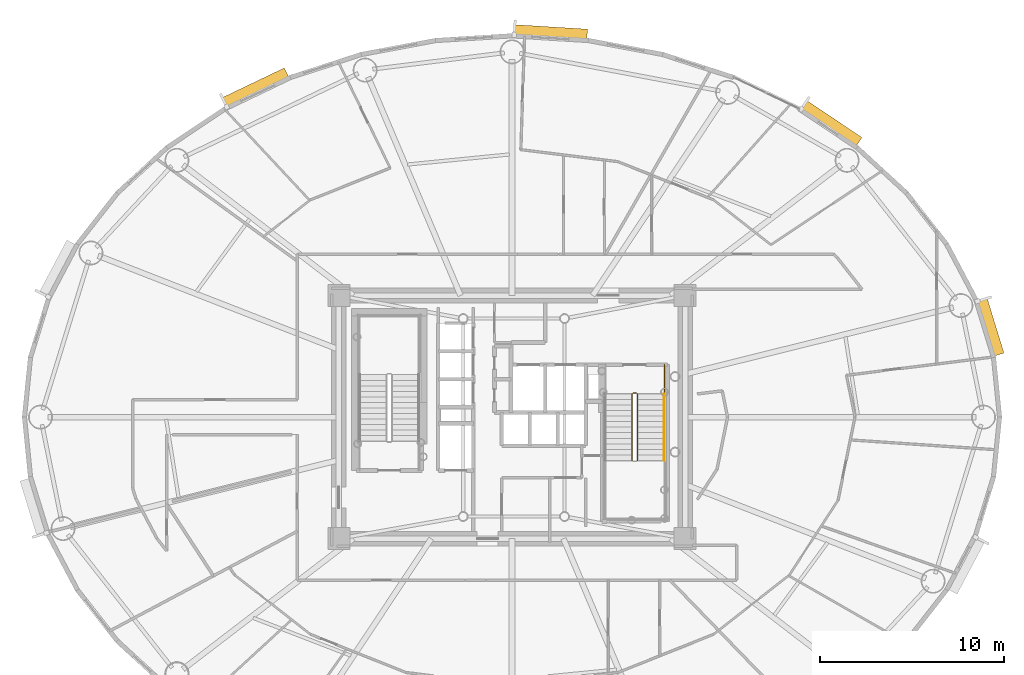
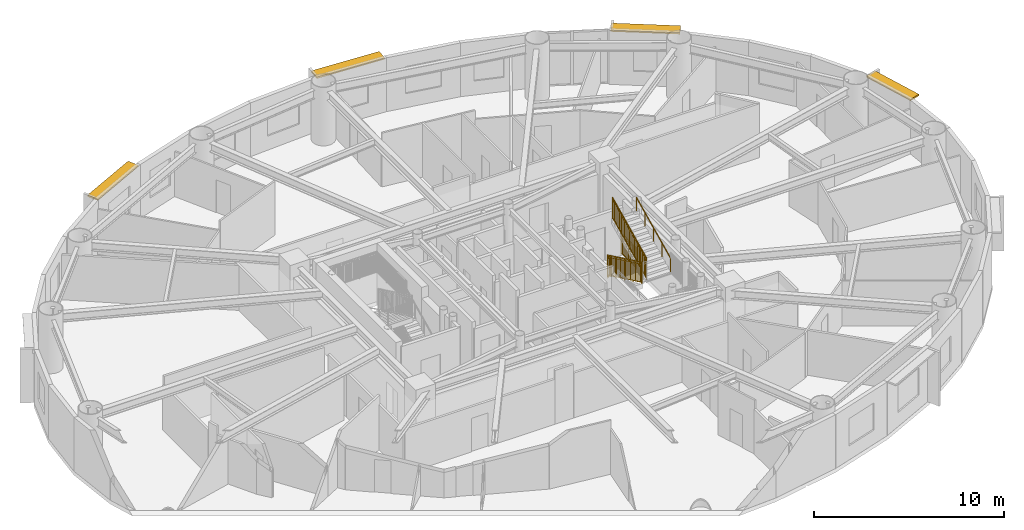
# One storey, part 17 of 17: 5 railings, 4 shading devices.
"""IFC4 building model written with IfcOpenShell, lengths in metres."""

from ifc_helpers import new_model, si_unit, direction, frame, origin, origin_2d, place, context, subcontext, project, spatial, rectangle, extrude, source, transform, mapped, material, layer, layer_set, type_object, element, save


model = new_model("IFC4")

# Units and contexts
model_context = context("Model", 3, precision=1e-05, world=origin(), true_north=direction((0.0, 1.0)))
body_context = subcontext(model_context, "Body", "Model", "MODEL_VIEW")
ifc_project = project(units=[si_unit("LENGTHUNIT", "METRE"), si_unit("AREAUNIT", "SQUARE_METRE"), si_unit("VOLUMEUNIT", "CUBIC_METRE"), si_unit("PLANEANGLEUNIT", "RADIAN"), si_unit("MASSUNIT", "GRAM", prefix="KILO")], contexts=[model_context])

# Site, building, storey
site_placement = place(None, origin())
site = spatial("IfcSite", under=ifc_project, at=site_placement, CompositionType="ELEMENT")
building_placement = place(site_placement, origin())
building = spatial("IfcBuilding", under=site, at=building_placement, Name="Linh Dai School and Residence Tower", CompositionType="ELEMENT")
storey_placement = place(building_placement, frame((0.0, 0.0, 201.14990234375)))
storey = spatial("IfcBuildingStorey", under=building, at=storey_placement, Name="L49", CompositionType="ELEMENT", Elevation=201.14990234375)

# Shading devices
ifc_material_1 = material(Name="Terracotta Ceramic Sunshade", Category="masonry")
ifc_layer = layer(ifc_material_1, 0.10009765625)
ifc_layer_set = layer_set([ifc_layer], Name="Terracotta Ceramic Sunshade")
shading_device_type = type_object("IfcShadingDeviceType", Name="SHD-TC-650", PredefinedType="USERDEFINED", material=ifc_layer_set)
shared_shape_1 = source(origin(), body_context, "Body", "SweptSolid", [
    extrude(rectangle(XDim=3.168212890625, YDim=0.64990234375, at=origin_2d()), origin(), (0.0, 0.0, 1.0), 0.10009765625),
])
shading_device_1_placement = place(storey_placement, frame((61.938720703125, 31.894775390625, 3.330078125), z_axis=(0.0, 0.0, 1.0), x_axis=(0.293121969301, -0.956075055167, 0.0)))
element("IfcShadingDevice", 1, at=shading_device_1_placement, inside=storey, type_object=shading_device_type, Name="L49 Terracotta Horizontal Sunshade Band 02", ObjectType="SUNSHADE", PredefinedType="USERDEFINED", context=body_context, shape_type="MappedRepresentation", body=[
    mapped(shared_shape_1, transform((0.0, 0.0, 0.0), x_axis=(1.0, 0.0, 0.0), y_axis=(0.0, 1.0, 0.0), z_axis=(0.0, 0.0, 1.0), scale=1.0)),
])
shared_shape_2 = source(origin(), body_context, "Body", "SweptSolid", [
    extrude(rectangle(XDim=3.64794921875, YDim=0.64990234375, at=origin_2d()), origin(), (0.0, 0.0, 1.0), 0.10009765625),
])
shading_device_2_placement = place(storey_placement, frame((53.31103515625, 42.923828125, 3.330078125), z_axis=(0.0, 0.0, 1.0), x_axis=(0.831228338651, -0.555931154932, 0.0)))
element("IfcShadingDevice", 2, at=shading_device_2_placement, inside=storey, type_object=shading_device_type, Name="L49 Terracotta Horizontal Sunshade Band 06", ObjectType="SUNSHADE", PredefinedType="USERDEFINED", context=body_context, shape_type="MappedRepresentation", body=[
    mapped(shared_shape_2, transform((0.0, 0.0, 0.0), x_axis=(1.0, 0.0, 0.0), y_axis=(0.0, 1.0, 0.0), z_axis=(0.0, 0.0, 1.0), scale=1.0)),
])
shared_shape_3 = source(origin(), body_context, "Body", "SweptSolid", [
    extrude(rectangle(XDim=3.987548828125, YDim=0.64990234375, at=origin_2d()), origin(), (0.0, 0.0, 1.0), 0.10009765625),
])
shading_device_3_placement = place(storey_placement, frame((38.09033203125, 47.86181640625, 3.330078125), z_axis=(0.0, 0.0, 1.0), x_axis=(0.99810632076, -0.061512376467, 0.0)))
element("IfcShadingDevice", 3, at=shading_device_3_placement, inside=storey, type_object=shading_device_type, Name="L49 Terracotta Horizontal Sunshade Band 10", ObjectType="SUNSHADE", PredefinedType="USERDEFINED", context=body_context, shape_type="MappedRepresentation", body=[
    mapped(shared_shape_3, transform((0.0, 0.0, 0.0), x_axis=(1.0, 0.0, 0.0), y_axis=(0.0, 1.0, 0.0), z_axis=(0.0, 0.0, 1.0), scale=1.0)),
])
shared_shape_4 = source(origin(), body_context, "Body", "SweptSolid", [
    extrude(rectangle(XDim=3.773193359375, YDim=0.64990234375, at=origin_2d()), origin(), (0.0, 0.0, 1.0), 0.10009765625),
])
shading_device_4_placement = place(storey_placement, frame((22.0751953125, 44.850341796875, 3.330078125), z_axis=(0.0, 0.0, 1.0), x_axis=(0.901569306779, 0.432634701653, 0.0)))
element("IfcShadingDevice", 4, at=shading_device_4_placement, inside=storey, type_object=shading_device_type, Name="L49 Terracotta Horizontal Sunshade Band 14", ObjectType="SUNSHADE", PredefinedType="USERDEFINED", context=body_context, shape_type="MappedRepresentation", body=[
    mapped(shared_shape_4, transform((0.0, 0.0, 0.0), x_axis=(1.0, 0.0, 0.0), y_axis=(0.0, 1.0, 0.0), z_axis=(0.0, 0.0, 1.0), scale=1.0)),
])

# Railings
ifc_material_2 = material(Name="Structural Steel S355JR", Category="steel")
railing_type_1 = type_object("IfcRailingType", Name="RL-ST-GUARD-1400", PredefinedType="GUARDRAIL", material=ifc_material_2)
shared_shape_5 = source(origin(), body_context, "Body", "SweptSolid", [
    extrude(rectangle(XDim=0.048095703125, YDim=0.048095703125, at=origin_2d()), frame((0.0, 0.0, 1.3759765625), z_axis=(0.0, 0.901262522062, 0.433273431364), x_axis=(-1.0, 0.0, 0.0)), (0.0, 0.0, 1.0), 3.994384765625),
    extrude(rectangle(XDim=0.048095703125, YDim=0.048095703125, at=origin_2d()), frame((0.0, 0.0, 0.10009765625), z_axis=(0.0, 0.901262522062, 0.433273431364), x_axis=(-1.0, 0.0, 0.0)), (0.0, 0.0, 1.0), 3.994384765625),
    extrude(rectangle(XDim=0.030029296875, YDim=0.030029296875, at=origin_2d()), frame((0.0, 0.0, 1.239990234375), z_axis=(0.0, 0.901262522062, 0.433273431364), x_axis=(-1.0, 0.0, 0.0)), (0.0, 0.0, 1.0), 3.994384765625),
    extrude(rectangle(XDim=0.02001953125, YDim=0.02001953125, at=origin_2d()), frame((0.0, 0.087890625, 0.142333984375)), (0.0, 0.0, 1.0), 1.251708984375),
    extrude(rectangle(XDim=0.02001953125, YDim=0.02001953125, at=origin_2d()), frame((0.0, 0.175537109375, 0.1845703125)), (0.0, 0.0, 1.0), 1.251708984375),
    extrude(rectangle(XDim=0.02001953125, YDim=0.02001953125, at=origin_2d()), frame((0.0, 0.263427734375, 0.226806640625)), (0.0, 0.0, 1.0), 1.251708984375),
    extrude(rectangle(XDim=0.02001953125, YDim=0.02001953125, at=origin_2d()), frame((0.0, 0.351318359375, 0.26904296875)), (0.0, 0.0, 1.0), 1.251708984375),
    extrude(rectangle(XDim=0.02001953125, YDim=0.02001953125, at=origin_2d()), frame((0.0, 0.43896484375, 0.311279296875)), (0.0, 0.0, 1.0), 1.251708984375),
    extrude(rectangle(XDim=0.02001953125, YDim=0.02001953125, at=origin_2d()), frame((0.0, 0.52685546875, 0.353271484375)), (0.0, 0.0, 1.0), 1.251708984375),
    extrude(rectangle(XDim=0.02001953125, YDim=0.02001953125, at=origin_2d()), frame((0.0, 0.61474609375, 0.3955078125)), (0.0, 0.0, 1.0), 1.251708984375),
    extrude(rectangle(XDim=0.02001953125, YDim=0.02001953125, at=origin_2d()), frame((0.0, 0.702392578125, 0.437744140625)), (0.0, 0.0, 1.0), 1.251708984375),
    extrude(rectangle(XDim=0.02001953125, YDim=0.02001953125, at=origin_2d()), frame((0.0, 0.790283203125, 0.47998046875)), (0.0, 0.0, 1.0), 1.251708984375),
    extrude(rectangle(XDim=0.02001953125, YDim=0.02001953125, at=origin_2d()), frame((0.0, 0.9658203125, 0.564453125)), (0.0, 0.0, 1.0), 1.251708984375),
    extrude(rectangle(XDim=0.02001953125, YDim=0.02001953125, at=origin_2d()), frame((0.0, 1.0537109375, 0.606689453125)), (0.0, 0.0, 1.0), 1.251708984375),
    extrude(rectangle(XDim=0.02001953125, YDim=0.02001953125, at=origin_2d()), frame((0.0, 1.1416015625, 0.64892578125)), (0.0, 0.0, 1.0), 1.251708984375),
    extrude(rectangle(XDim=0.02001953125, YDim=0.02001953125, at=origin_2d()), frame((0.0, 1.229248046875, 0.691162109375)), (0.0, 0.0, 1.0), 1.251708984375),
    extrude(rectangle(XDim=0.02001953125, YDim=0.02001953125, at=origin_2d()), frame((0.0, 1.317138671875, 0.7333984375)), (0.0, 0.0, 1.0), 1.251708984375),
    extrude(rectangle(XDim=0.02001953125, YDim=0.02001953125, at=origin_2d()), frame((0.0, 1.405029296875, 0.775390625)), (0.0, 0.0, 1.0), 1.251708984375),
    extrude(rectangle(XDim=0.02001953125, YDim=0.02001953125, at=origin_2d()), frame((0.0, 1.49267578125, 0.817626953125)), (0.0, 0.0, 1.0), 1.251708984375),
    extrude(rectangle(XDim=0.02001953125, YDim=0.02001953125, at=origin_2d()), frame((0.0, 1.58056640625, 0.85986328125)), (0.0, 0.0, 1.0), 1.251708984375),
    extrude(rectangle(XDim=0.02001953125, YDim=0.02001953125, at=origin_2d()), frame((0.0, 1.66845703125, 0.902099609375)), (0.0, 0.0, 1.0), 1.251708984375),
    extrude(rectangle(XDim=0.02001953125, YDim=0.02001953125, at=origin_2d()), frame((0.0, 1.756103515625, 0.9443359375)), (0.0, 0.0, 1.0), 1.251708984375),
    extrude(rectangle(XDim=0.02001953125, YDim=0.02001953125, at=origin_2d()), frame((0.0, 1.843994140625, 0.986572265625)), (0.0, 0.0, 1.0), 1.251708984375),
    extrude(rectangle(XDim=0.02001953125, YDim=0.02001953125, at=origin_2d()), frame((0.0, 1.931640625, 1.02880859375)), (0.0, 0.0, 1.0), 1.251708984375),
    extrude(rectangle(XDim=0.02001953125, YDim=0.02001953125, at=origin_2d()), frame((0.0, 2.01953125, 1.071044921875)), (0.0, 0.0, 1.0), 1.251708984375),
    extrude(rectangle(XDim=0.02001953125, YDim=0.02001953125, at=origin_2d()), frame((0.0, 2.107421875, 1.11328125)), (0.0, 0.0, 1.0), 1.251708984375),
    extrude(rectangle(XDim=0.02001953125, YDim=0.02001953125, at=origin_2d()), frame((0.0, 2.195068359375, 1.155517578125)), (0.0, 0.0, 1.0), 1.251708984375),
    extrude(rectangle(XDim=0.02001953125, YDim=0.02001953125, at=origin_2d()), frame((0.0, 2.282958984375, 1.197509765625)), (0.0, 0.0, 1.0), 1.251708984375),
    extrude(rectangle(XDim=0.02001953125, YDim=0.02001953125, at=origin_2d()), frame((0.0, 2.370849609375, 1.23974609375)), (0.0, 0.0, 1.0), 1.251708984375),
    extrude(rectangle(XDim=0.02001953125, YDim=0.02001953125, at=origin_2d()), frame((0.0, 2.45849609375, 1.281982421875)), (0.0, 0.0, 1.0), 1.251708984375),
    extrude(rectangle(XDim=0.02001953125, YDim=0.02001953125, at=origin_2d()), frame((0.0, 2.54638671875, 1.32421875)), (0.0, 0.0, 1.0), 1.251708984375),
    extrude(rectangle(XDim=0.02001953125, YDim=0.02001953125, at=origin_2d()), frame((0.0, 2.63427734375, 1.366455078125)), (0.0, 0.0, 1.0), 1.251708984375),
    extrude(rectangle(XDim=0.02001953125, YDim=0.02001953125, at=origin_2d()), frame((0.0, 2.809814453125, 1.450927734375)), (0.0, 0.0, 1.0), 1.251708984375),
    extrude(rectangle(XDim=0.02001953125, YDim=0.02001953125, at=origin_2d()), frame((0.0, 2.897705078125, 1.4931640625)), (0.0, 0.0, 1.0), 1.251708984375),
    extrude(rectangle(XDim=0.02001953125, YDim=0.02001953125, at=origin_2d()), frame((0.0, 2.9853515625, 1.535400390625)), (0.0, 0.0, 1.0), 1.251708984375),
    extrude(rectangle(XDim=0.02001953125, YDim=0.02001953125, at=origin_2d()), frame((0.0, 3.0732421875, 1.57763671875)), (0.0, 0.0, 1.0), 1.251708984375),
    extrude(rectangle(XDim=0.02001953125, YDim=0.02001953125, at=origin_2d()), frame((0.0, 3.1611328125, 1.61962890625)), (0.0, 0.0, 1.0), 1.251708984375),
    extrude(rectangle(XDim=0.02001953125, YDim=0.02001953125, at=origin_2d()), frame((0.0, 3.248779296875, 1.661865234375)), (0.0, 0.0, 1.0), 1.251708984375),
    extrude(rectangle(XDim=0.02001953125, YDim=0.02001953125, at=origin_2d()), frame((0.0, 3.336669921875, 1.7041015625)), (0.0, 0.0, 1.0), 1.251708984375),
    extrude(rectangle(XDim=0.02001953125, YDim=0.02001953125, at=origin_2d()), frame((0.0, 3.424560546875, 1.746337890625)), (0.0, 0.0, 1.0), 1.251708984375),
    extrude(rectangle(XDim=0.02001953125, YDim=0.02001953125, at=origin_2d()), frame((0.0, 3.51220703125, 1.78857421875)), (0.0, 0.0, 1.0), 1.251708984375),
    extrude(rectangle(XDim=0.0419921875, YDim=0.0419921875, at=origin_2d()), origin(), (0.0, 0.0, 1.0), 1.3759765625),
    extrude(rectangle(XDim=0.0419921875, YDim=0.0419921875, at=origin_2d()), frame((0.0, 0.89990234375, 0.4326171875)), (0.0, 0.0, 1.0), 1.3759765625),
    extrude(rectangle(XDim=0.0419921875, YDim=0.0419921875, at=origin_2d()), frame((0.0, 1.800048828125, 0.865234375)), (0.0, 0.0, 1.0), 1.3759765625),
    extrude(rectangle(XDim=0.0419921875, YDim=0.0419921875, at=origin_2d()), frame((0.0, 2.7001953125, 1.298095703125)), (0.0, 0.0, 1.0), 1.3759765625),
    extrude(rectangle(XDim=0.0419921875, YDim=0.0419921875, at=origin_2d()), frame((0.0, 3.60009765625, 1.730712890625)), (0.0, 0.0, 1.0), 1.3759765625),
])
railing_1_placement = place(storey_placement, frame((42.820068359375, 24.64990234375, 2.019287109375)))
element("IfcRailing", 5, at=railing_1_placement, inside=storey, type_object=railing_type_1, Name="L49 ST2 stair guard 6", PredefinedType="GUARDRAIL", context=body_context, shape_type="MappedRepresentation", body=[
    mapped(shared_shape_5, transform((0.0, 0.0, 0.0), x_axis=(1.0, 0.0, 0.0), y_axis=(0.0, 1.0, 0.0), z_axis=(0.0, 0.0, 1.0), scale=1.0)),
])
shared_shape_6 = source(origin(), body_context, "Body", "SweptSolid", [
    extrude(rectangle(XDim=0.048095703125, YDim=0.048095703125, at=origin_2d()), frame((0.0, 0.0, 1.3759765625), z_axis=(0.0, -0.901262522062, 0.433273431364), x_axis=(1.0, 0.0, 0.0)), (0.0, 0.0, 1.0), 3.994384765625),
    extrude(rectangle(XDim=0.048095703125, YDim=0.048095703125, at=origin_2d()), frame((0.0, 0.0, 0.10009765625), z_axis=(0.0, -0.901262522062, 0.433273431364), x_axis=(1.0, 0.0, 0.0)), (0.0, 0.0, 1.0), 3.994384765625),
    extrude(rectangle(XDim=0.030029296875, YDim=0.030029296875, at=origin_2d()), frame((0.0, 0.0, 1.239990234375), z_axis=(0.0, -0.901262522062, 0.433273431364), x_axis=(1.0, 0.0, 0.0)), (0.0, 0.0, 1.0), 3.994384765625),
    extrude(rectangle(XDim=0.02001953125, YDim=0.02001953125, at=origin_2d()), frame((0.0, -0.087890625, 0.142333984375)), (0.0, 0.0, 1.0), 1.251708984375),
    extrude(rectangle(XDim=0.02001953125, YDim=0.02001953125, at=origin_2d()), frame((0.0, -0.175537109375, 0.1845703125)), (0.0, 0.0, 1.0), 1.251708984375),
    extrude(rectangle(XDim=0.02001953125, YDim=0.02001953125, at=origin_2d()), frame((0.0, -0.263427734375, 0.226806640625)), (0.0, 0.0, 1.0), 1.251708984375),
    extrude(rectangle(XDim=0.02001953125, YDim=0.02001953125, at=origin_2d()), frame((0.0, -0.351318359375, 0.26904296875)), (0.0, 0.0, 1.0), 1.251708984375),
    extrude(rectangle(XDim=0.02001953125, YDim=0.02001953125, at=origin_2d()), frame((0.0, -0.43896484375, 0.311279296875)), (0.0, 0.0, 1.0), 1.251708984375),
    extrude(rectangle(XDim=0.02001953125, YDim=0.02001953125, at=origin_2d()), frame((0.0, -0.52685546875, 0.353271484375)), (0.0, 0.0, 1.0), 1.251708984375),
    extrude(rectangle(XDim=0.02001953125, YDim=0.02001953125, at=origin_2d()), frame((0.0, -0.61474609375, 0.3955078125)), (0.0, 0.0, 1.0), 1.251708984375),
    extrude(rectangle(XDim=0.02001953125, YDim=0.02001953125, at=origin_2d()), frame((0.0, -0.702392578125, 0.437744140625)), (0.0, 0.0, 1.0), 1.251708984375),
    extrude(rectangle(XDim=0.02001953125, YDim=0.02001953125, at=origin_2d()), frame((0.0, -0.790283203125, 0.47998046875)), (0.0, 0.0, 1.0), 1.251708984375),
    extrude(rectangle(XDim=0.02001953125, YDim=0.02001953125, at=origin_2d()), frame((0.0, -0.9658203125, 0.564453125)), (0.0, 0.0, 1.0), 1.251708984375),
    extrude(rectangle(XDim=0.02001953125, YDim=0.02001953125, at=origin_2d()), frame((0.0, -1.0537109375, 0.606689453125)), (0.0, 0.0, 1.0), 1.251708984375),
    extrude(rectangle(XDim=0.02001953125, YDim=0.02001953125, at=origin_2d()), frame((0.0, -1.1416015625, 0.64892578125)), (0.0, 0.0, 1.0), 1.251708984375),
    extrude(rectangle(XDim=0.02001953125, YDim=0.02001953125, at=origin_2d()), frame((0.0, -1.229248046875, 0.691162109375)), (0.0, 0.0, 1.0), 1.251708984375),
    extrude(rectangle(XDim=0.02001953125, YDim=0.02001953125, at=origin_2d()), frame((0.0, -1.317138671875, 0.7333984375)), (0.0, 0.0, 1.0), 1.251708984375),
    extrude(rectangle(XDim=0.02001953125, YDim=0.02001953125, at=origin_2d()), frame((0.0, -1.405029296875, 0.775390625)), (0.0, 0.0, 1.0), 1.251708984375),
    extrude(rectangle(XDim=0.02001953125, YDim=0.02001953125, at=origin_2d()), frame((0.0, -1.49267578125, 0.817626953125)), (0.0, 0.0, 1.0), 1.251708984375),
    extrude(rectangle(XDim=0.02001953125, YDim=0.02001953125, at=origin_2d()), frame((0.0, -1.58056640625, 0.85986328125)), (0.0, 0.0, 1.0), 1.251708984375),
    extrude(rectangle(XDim=0.02001953125, YDim=0.02001953125, at=origin_2d()), frame((0.0, -1.66845703125, 0.902099609375)), (0.0, 0.0, 1.0), 1.251708984375),
    extrude(rectangle(XDim=0.02001953125, YDim=0.02001953125, at=origin_2d()), frame((0.0, -1.756103515625, 0.9443359375)), (0.0, 0.0, 1.0), 1.251708984375),
    extrude(rectangle(XDim=0.02001953125, YDim=0.02001953125, at=origin_2d()), frame((0.0, -1.843994140625, 0.986572265625)), (0.0, 0.0, 1.0), 1.251708984375),
    extrude(rectangle(XDim=0.02001953125, YDim=0.02001953125, at=origin_2d()), frame((0.0, -1.931640625, 1.02880859375)), (0.0, 0.0, 1.0), 1.251708984375),
    extrude(rectangle(XDim=0.02001953125, YDim=0.02001953125, at=origin_2d()), frame((0.0, -2.01953125, 1.071044921875)), (0.0, 0.0, 1.0), 1.251708984375),
    extrude(rectangle(XDim=0.02001953125, YDim=0.02001953125, at=origin_2d()), frame((0.0, -2.107421875, 1.11328125)), (0.0, 0.0, 1.0), 1.251708984375),
    extrude(rectangle(XDim=0.02001953125, YDim=0.02001953125, at=origin_2d()), frame((0.0, -2.195068359375, 1.155517578125)), (0.0, 0.0, 1.0), 1.251708984375),
    extrude(rectangle(XDim=0.02001953125, YDim=0.02001953125, at=origin_2d()), frame((0.0, -2.282958984375, 1.197509765625)), (0.0, 0.0, 1.0), 1.251708984375),
    extrude(rectangle(XDim=0.02001953125, YDim=0.02001953125, at=origin_2d()), frame((0.0, -2.370849609375, 1.23974609375)), (0.0, 0.0, 1.0), 1.251708984375),
    extrude(rectangle(XDim=0.02001953125, YDim=0.02001953125, at=origin_2d()), frame((0.0, -2.45849609375, 1.281982421875)), (0.0, 0.0, 1.0), 1.251708984375),
    extrude(rectangle(XDim=0.02001953125, YDim=0.02001953125, at=origin_2d()), frame((0.0, -2.54638671875, 1.32421875)), (0.0, 0.0, 1.0), 1.251708984375),
    extrude(rectangle(XDim=0.02001953125, YDim=0.02001953125, at=origin_2d()), frame((0.0, -2.63427734375, 1.366455078125)), (0.0, 0.0, 1.0), 1.251708984375),
    extrude(rectangle(XDim=0.02001953125, YDim=0.02001953125, at=origin_2d()), frame((0.0, -2.809814453125, 1.450927734375)), (0.0, 0.0, 1.0), 1.251708984375),
    extrude(rectangle(XDim=0.02001953125, YDim=0.02001953125, at=origin_2d()), frame((0.0, -2.897705078125, 1.4931640625)), (0.0, 0.0, 1.0), 1.251708984375),
    extrude(rectangle(XDim=0.02001953125, YDim=0.02001953125, at=origin_2d()), frame((0.0, -2.9853515625, 1.535400390625)), (0.0, 0.0, 1.0), 1.251708984375),
    extrude(rectangle(XDim=0.02001953125, YDim=0.02001953125, at=origin_2d()), frame((0.0, -3.0732421875, 1.57763671875)), (0.0, 0.0, 1.0), 1.251708984375),
    extrude(rectangle(XDim=0.02001953125, YDim=0.02001953125, at=origin_2d()), frame((0.0, -3.1611328125, 1.61962890625)), (0.0, 0.0, 1.0), 1.251708984375),
    extrude(rectangle(XDim=0.02001953125, YDim=0.02001953125, at=origin_2d()), frame((0.0, -3.248779296875, 1.661865234375)), (0.0, 0.0, 1.0), 1.251708984375),
    extrude(rectangle(XDim=0.02001953125, YDim=0.02001953125, at=origin_2d()), frame((0.0, -3.336669921875, 1.7041015625)), (0.0, 0.0, 1.0), 1.251708984375),
    extrude(rectangle(XDim=0.02001953125, YDim=0.02001953125, at=origin_2d()), frame((0.0, -3.424560546875, 1.746337890625)), (0.0, 0.0, 1.0), 1.251708984375),
    extrude(rectangle(XDim=0.02001953125, YDim=0.02001953125, at=origin_2d()), frame((0.0, -3.51220703125, 1.78857421875)), (0.0, 0.0, 1.0), 1.251708984375),
    extrude(rectangle(XDim=0.0419921875, YDim=0.0419921875, at=origin_2d()), origin(), (0.0, 0.0, 1.0), 1.3759765625),
    extrude(rectangle(XDim=0.0419921875, YDim=0.0419921875, at=origin_2d()), frame((0.0, -0.89990234375, 0.4326171875)), (0.0, 0.0, 1.0), 1.3759765625),
    extrude(rectangle(XDim=0.0419921875, YDim=0.0419921875, at=origin_2d()), frame((0.0, -1.800048828125, 0.865234375)), (0.0, 0.0, 1.0), 1.3759765625),
    extrude(rectangle(XDim=0.0419921875, YDim=0.0419921875, at=origin_2d()), frame((0.0, -2.7001953125, 1.298095703125)), (0.0, 0.0, 1.0), 1.3759765625),
    extrude(rectangle(XDim=0.0419921875, YDim=0.0419921875, at=origin_2d()), frame((0.0, -3.60009765625, 1.730712890625)), (0.0, 0.0, 1.0), 1.3759765625),
])
railing_2_placement = place(storey_placement, frame((42.52001953125, 28.25, 0.144287109375)))
element("IfcRailing", 6, at=railing_2_placement, inside=storey, type_object=railing_type_1, Name="L49 ST2 stair guard 1", PredefinedType="GUARDRAIL", context=body_context, shape_type="MappedRepresentation", body=[
    mapped(shared_shape_6, transform((0.0, 0.0, 0.0), x_axis=(1.0, 0.0, 0.0), y_axis=(0.0, 1.0, 0.0), z_axis=(0.0, 0.0, 1.0), scale=1.0)),
])
ifc_material_3 = material(Name="Brushed Stainless Steel Handrail", Category="steel")
railing_type_2 = type_object("IfcRailingType", Name="RL-ST-HANDRAIL-900", PredefinedType="HANDRAIL", material=ifc_material_3)
shared_shape_7 = source(origin(), body_context, "Body", "SweptSolid", [
    extrude(rectangle(XDim=0.048095703125, YDim=0.048095703125, at=origin_2d()), frame((0.0, 0.0, 0.8759765625), z_axis=(0.0, 0.901262522062, 0.433273431364), x_axis=(-1.0, 0.0, 0.0)), (0.0, 0.0, 1.0), 3.994384765625),
    extrude(rectangle(XDim=0.0419921875, YDim=0.0419921875, at=origin_2d()), origin(), (0.0, 0.0, 1.0), 0.8759765625),
    extrude(rectangle(XDim=0.0419921875, YDim=0.0419921875, at=origin_2d()), frame((0.0, 0.89990234375, 0.4326171875)), (0.0, 0.0, 1.0), 0.8759765625),
    extrude(rectangle(XDim=0.0419921875, YDim=0.0419921875, at=origin_2d()), frame((0.0, 1.800048828125, 0.865234375)), (0.0, 0.0, 1.0), 0.8759765625),
    extrude(rectangle(XDim=0.0419921875, YDim=0.0419921875, at=origin_2d()), frame((0.0, 2.7001953125, 1.298095703125)), (0.0, 0.0, 1.0), 0.8759765625),
    extrude(rectangle(XDim=0.0419921875, YDim=0.0419921875, at=origin_2d()), frame((0.0, 3.60009765625, 1.730712890625)), (0.0, 0.0, 1.0), 0.8759765625),
])
railing_3_placement = place(storey_placement, frame((44.27001953125, 24.64990234375, 2.019287109375)))
element("IfcRailing", 7, at=railing_3_placement, inside=storey, type_object=railing_type_2, Name="L49 ST2 stair handrail 2", PredefinedType="HANDRAIL", context=body_context, shape_type="MappedRepresentation", body=[
    mapped(shared_shape_7, transform((0.0, 0.0, 0.0), x_axis=(1.0, 0.0, 0.0), y_axis=(0.0, 1.0, 0.0), z_axis=(0.0, 0.0, 1.0), scale=1.0)),
])
shared_shape_8 = source(origin(), body_context, "Body", "SweptSolid", [
    extrude(rectangle(XDim=0.048095703125, YDim=0.048095703125, at=origin_2d()), frame((0.0, 0.0, 1.3759765625), z_axis=(1.0, 0.0, 0.0), x_axis=(0.0, 1.0, 0.0)), (0.0, 0.0, 1.0), 0.199951171875),
    extrude(rectangle(XDim=0.048095703125, YDim=0.048095703125, at=origin_2d()), frame((0.0, 0.0, 0.10009765625), z_axis=(1.0, 0.0, 0.0), x_axis=(0.0, 1.0, 0.0)), (0.0, 0.0, 1.0), 0.199951171875),
    extrude(rectangle(XDim=0.030029296875, YDim=0.030029296875, at=origin_2d()), frame((0.0, 0.0, 1.239990234375), z_axis=(1.0, 0.0, 0.0), x_axis=(0.0, 1.0, 0.0)), (0.0, 0.0, 1.0), 0.199951171875),
    extrude(rectangle(XDim=0.0419921875, YDim=0.0419921875, at=origin_2d()), origin(), (0.0, 0.0, 1.0), 1.3759765625),
    extrude(rectangle(XDim=0.0419921875, YDim=0.0419921875, at=origin_2d()), frame((0.199951171875, 0.0, 0.0)), (0.0, 0.0, 1.0), 1.3759765625),
])
railing_4_placement = place(storey_placement, frame((42.570068359375, 28.300048828125, 0.0)))
element("IfcRailing", 8, at=railing_4_placement, inside=storey, type_object=railing_type_1, Name="L49 ST2 stair guard 7", PredefinedType="GUARDRAIL", context=body_context, shape_type="MappedRepresentation", body=[
    mapped(shared_shape_8, transform((0.0, 0.0, 0.0), x_axis=(1.0, 0.0, 0.0), y_axis=(0.0, 1.0, 0.0), z_axis=(0.0, 0.0, 1.0), scale=1.0)),
])
shared_shape_9 = source(origin(), body_context, "Body", "SweptSolid", [
    extrude(rectangle(XDim=0.048095703125, YDim=0.048095703125, at=origin_2d()), frame((0.0, 0.0, 1.3759765625), z_axis=(0.0, -1.0, 0.0), x_axis=(1.0, 0.0, 0.0)), (0.0, 0.0, 1.0), 1.60009765625),
    extrude(rectangle(XDim=0.048095703125, YDim=0.048095703125, at=origin_2d()), frame((0.0, 0.0, 0.10009765625), z_axis=(0.0, -1.0, 0.0), x_axis=(1.0, 0.0, 0.0)), (0.0, 0.0, 1.0), 1.60009765625),
    extrude(rectangle(XDim=0.030029296875, YDim=0.030029296875, at=origin_2d()), frame((0.0, 0.0, 1.239990234375), z_axis=(0.0, -1.0, 0.0), x_axis=(1.0, 0.0, 0.0)), (0.0, 0.0, 1.0), 1.60009765625),
    extrude(rectangle(XDim=0.02001953125, YDim=0.02001953125, at=origin_2d()), frame((0.0, -0.09423828125, 0.10009765625)), (0.0, 0.0, 1.0), 1.251708984375),
    extrude(rectangle(XDim=0.02001953125, YDim=0.02001953125, at=origin_2d()), frame((0.0, -0.188232421875, 0.10009765625)), (0.0, 0.0, 1.0), 1.251708984375),
    extrude(rectangle(XDim=0.02001953125, YDim=0.02001953125, at=origin_2d()), frame((0.0, -0.282470703125, 0.10009765625)), (0.0, 0.0, 1.0), 1.251708984375),
    extrude(rectangle(XDim=0.02001953125, YDim=0.02001953125, at=origin_2d()), frame((0.0, -0.37646484375, 0.10009765625)), (0.0, 0.0, 1.0), 1.251708984375),
    extrude(rectangle(XDim=0.02001953125, YDim=0.02001953125, at=origin_2d()), frame((0.0, -0.470703125, 0.10009765625)), (0.0, 0.0, 1.0), 1.251708984375),
    extrude(rectangle(XDim=0.02001953125, YDim=0.02001953125, at=origin_2d()), frame((0.0, -0.564697265625, 0.10009765625)), (0.0, 0.0, 1.0), 1.251708984375),
    extrude(rectangle(XDim=0.02001953125, YDim=0.02001953125, at=origin_2d()), frame((0.0, -0.658935546875, 0.10009765625)), (0.0, 0.0, 1.0), 1.251708984375),
    extrude(rectangle(XDim=0.02001953125, YDim=0.02001953125, at=origin_2d()), frame((0.0, -0.7529296875, 0.10009765625)), (0.0, 0.0, 1.0), 1.251708984375),
    extrude(rectangle(XDim=0.02001953125, YDim=0.02001953125, at=origin_2d()), frame((0.0, -0.84716796875, 0.10009765625)), (0.0, 0.0, 1.0), 1.251708984375),
    extrude(rectangle(XDim=0.02001953125, YDim=0.02001953125, at=origin_2d()), frame((0.0, -0.941162109375, 0.10009765625)), (0.0, 0.0, 1.0), 1.251708984375),
    extrude(rectangle(XDim=0.02001953125, YDim=0.02001953125, at=origin_2d()), frame((0.0, -1.035400390625, 0.10009765625)), (0.0, 0.0, 1.0), 1.251708984375),
    extrude(rectangle(XDim=0.02001953125, YDim=0.02001953125, at=origin_2d()), frame((0.0, -1.12939453125, 0.10009765625)), (0.0, 0.0, 1.0), 1.251708984375),
    extrude(rectangle(XDim=0.02001953125, YDim=0.02001953125, at=origin_2d()), frame((0.0, -1.2236328125, 0.10009765625)), (0.0, 0.0, 1.0), 1.251708984375),
    extrude(rectangle(XDim=0.02001953125, YDim=0.02001953125, at=origin_2d()), frame((0.0, -1.317626953125, 0.10009765625)), (0.0, 0.0, 1.0), 1.251708984375),
    extrude(rectangle(XDim=0.02001953125, YDim=0.02001953125, at=origin_2d()), frame((0.0, -1.411865234375, 0.10009765625)), (0.0, 0.0, 1.0), 1.251708984375),
    extrude(rectangle(XDim=0.02001953125, YDim=0.02001953125, at=origin_2d()), frame((0.0, -1.505859375, 0.10009765625)), (0.0, 0.0, 1.0), 1.251708984375),
    extrude(rectangle(XDim=0.0419921875, YDim=0.0419921875, at=origin_2d()), origin(), (0.0, 0.0, 1.0), 1.3759765625),
    extrude(rectangle(XDim=0.0419921875, YDim=0.0419921875, at=origin_2d()), frame((0.0, -0.800048828125, 0.0)), (0.0, 0.0, 1.0), 1.3759765625),
    extrude(rectangle(XDim=0.0419921875, YDim=0.0419921875, at=origin_2d()), frame((0.0, -1.60009765625, 0.0)), (0.0, 0.0, 1.0), 1.3759765625),
])
railing_5_placement = place(storey_placement, frame((44.27001953125, 29.85009765625, 0.0)))
element("IfcRailing", 9, at=railing_5_placement, inside=storey, type_object=railing_type_1, Name="L49 ST2 stair guard 9", PredefinedType="GUARDRAIL", context=body_context, shape_type="MappedRepresentation", body=[
    mapped(shared_shape_9, transform((0.0, 0.0, 0.0), x_axis=(1.0, 0.0, 0.0), y_axis=(0.0, 1.0, 0.0), z_axis=(0.0, 0.0, 1.0), scale=1.0)),
])

save(model, "model.ifc")
